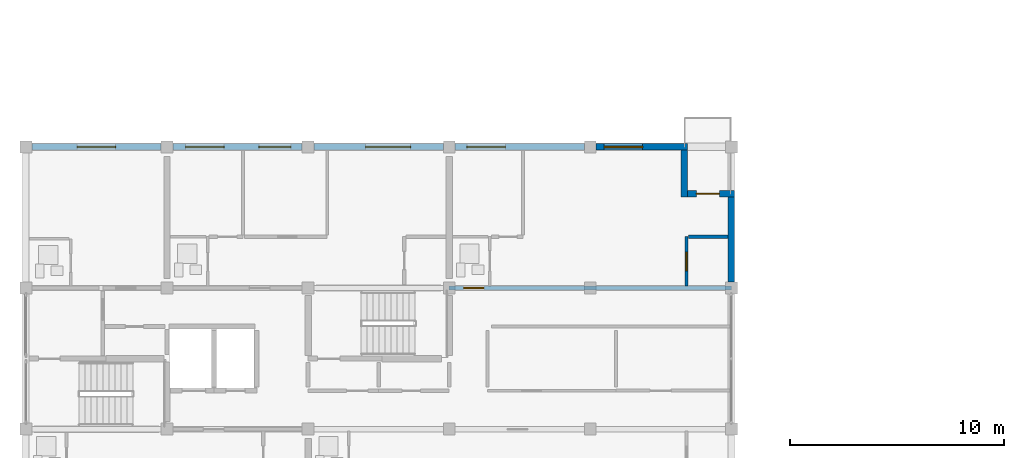
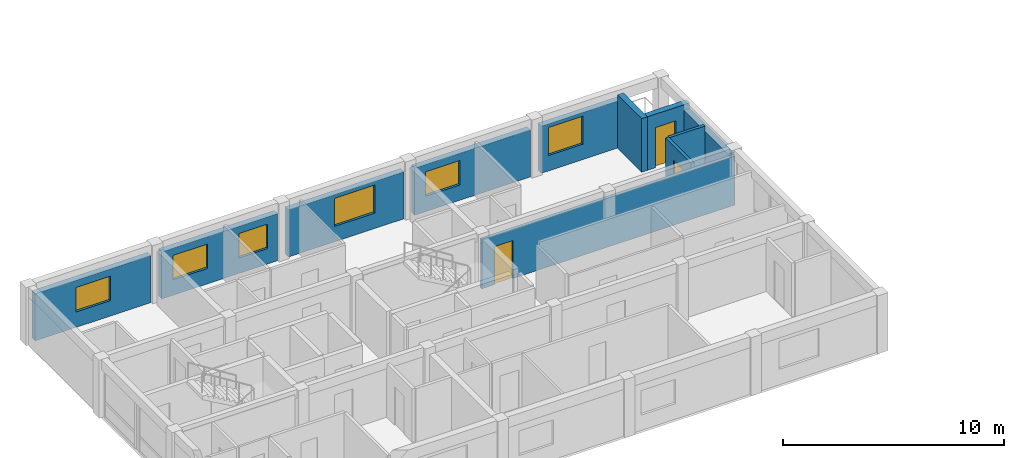
# One storey, part 33 of 45: 11 walls, 6 windows, 3 doors, 9 openings.
"""IFC4 building model written with IfcOpenShell, lengths in metres."""

from ifc_helpers import new_model, si_unit, direction, frame, frame_2d, origin, place, context, subcontext, project, spatial, rectangle, extrude, material, layer, layer_set, type_object, element, fill, save


model = new_model("IFC4")

# Units and contexts
model_context = context("Model", 3, precision=1e-05, world=origin(), true_north=direction((0.0, 1.0)))
body_context = subcontext(model_context, "Body", "Model", "MODEL_VIEW")
ifc_project = project(units=[si_unit("LENGTHUNIT", "METRE"), si_unit("AREAUNIT", "SQUARE_METRE"), si_unit("VOLUMEUNIT", "CUBIC_METRE"), si_unit("PLANEANGLEUNIT", "RADIAN"), si_unit("MASSUNIT", "GRAM", prefix="KILO")], contexts=[model_context])

# Site, building, storey
site_placement = place(None, origin())
site = spatial("IfcSite", under=ifc_project, at=site_placement, CompositionType="ELEMENT")
building_placement = place(site_placement, origin())
building = spatial("IfcBuilding", under=site, at=building_placement, Name="Kernevlak Ridge Housing Community", CompositionType="ELEMENT")
storey_placement = place(building_placement, frame((0.0, 0.0, 14.800048828125)))
storey = spatial("IfcBuildingStorey", under=building, at=storey_placement, Name="L04", CompositionType="ELEMENT", Elevation=14.800048828125)

# Wall, opening, window
ifc_material_1 = material(Name="Concrete block masonry M10", Category="masonry")
ifc_layer_1 = layer(ifc_material_1, 0.300048828125, Name="Concrete block masonry M10")
ifc_layer_set_1 = layer_set([ifc_layer_1], Name="Concrete block masonry M10")
wall_type_1 = type_object("IfcWallType", Name="EW-01", PredefinedType="STANDARD", material=ifc_layer_set_1)
wall_1_placement = place(storey_placement, frame((15.875, 95.800048828125, 0.0), z_axis=(0.0, 0.0, 1.0), x_axis=(1.0, 0.0, 0.0)))
wall_1 = element("IfcWall", 1, at=wall_1_placement, inside=storey, type_object=wall_type_1, Name="Exterior wall EW-01 L04 66", PredefinedType="STANDARD", context=body_context, shape_type="SweptSolid", body=[
    extrude(rectangle(XDim=6.050048828125, YDim=0.300048828125, at=frame_2d((3.02490234375, 0.0))), origin(), (0.0, 0.0, 1.0), 2.599853515625),
])
opening_1_placement = place(wall_1_placement, frame((2.125, 0.0, 0.85009765625)))
opening_1 = element("IfcOpeningElement", 2, at=opening_1_placement, cuts=wall_1, Name="Opening WT-03", PredefinedType="OPENING", context=body_context, shape_type="SweptSolid", body=[
    extrude(rectangle(XDim=1.800048828125, YDim=1.35009765625, at=frame_2d((0.89990234375, 0.675048828125))), frame((0.0, 0.159912109375, 0.0), z_axis=(0.0, -1.0, 0.0), x_axis=(1.0, 0.0, 0.0)), (0.0, 0.0, 1.0), 0.320068359375),
])
ifc_material_2 = material(Name="Aluminium EN AW-6060 anodised and laminated glass", Category="aluminium")
window_type_1 = type_object("IfcWindowType", Name="WT-03", PartitioningType="SINGLE_PANEL", PredefinedType="WINDOW", material=ifc_material_2)
window_1_placement = place(opening_1_placement, origin())
window_1 = element("IfcWindow", 3, at=window_1_placement, inside=storey, type_object=window_type_1, Name="Window WT-03 L04 51", OverallHeight=1.35009765625, OverallWidth=1.800048828125, PartitioningType="SINGLE_PANEL", PredefinedType="WINDOW", context=body_context, shape_type="SweptSolid", body=[
    extrude(rectangle(XDim=1.800048828125, YDim=1.35009765625, at=frame_2d((0.89990234375, 0.675048828125))), frame((0.0, 0.030029296875, 0.0), z_axis=(0.0, -1.0, 0.0), x_axis=(1.0, 0.0, 0.0)), (0.0, 0.0, 1.0), 0.06005859375),
])
fill(opening_1, window_1)

# Wall, openings, windows
wall_2_placement = place(storey_placement, frame((22.47509765625, 95.800048828125, 0.0), z_axis=(0.0, 0.0, 1.0), x_axis=(1.0, 0.0, 0.0)))
wall_2 = element("IfcWall", 4, at=wall_2_placement, inside=storey, type_object=wall_type_1, Name="Exterior wall EW-01 L04 67", PredefinedType="STANDARD", context=body_context, shape_type="SweptSolid", body=[
    extrude(rectangle(XDim=6.0498046875, YDim=0.300048828125, at=frame_2d((3.02490234375, 0.0))), origin(), (0.0, 0.0, 1.0), 2.599853515625),
])
opening_2_placement = place(wall_2_placement, frame((0.60009765625, 0.0, 0.85009765625)))
opening_2 = element("IfcOpeningElement", 5, at=opening_2_placement, cuts=wall_2, Name="Opening WT-03", PredefinedType="OPENING", context=body_context, shape_type="SweptSolid", body=[
    extrude(rectangle(XDim=1.800048828125, YDim=1.35009765625, at=frame_2d((0.89990234375, 0.675048828125))), frame((0.0, 0.159912109375, 0.0), z_axis=(0.0, -1.0, 0.0), x_axis=(1.0, 0.0, 0.0)), (0.0, 0.0, 1.0), 0.320068359375),
])
opening_3_placement = place(wall_2_placement, frame((4.02490234375, 0.0, 0.85009765625)))
opening_3 = element("IfcOpeningElement", 6, at=opening_3_placement, cuts=wall_2, Name="Opening WT-02", PredefinedType="OPENING", context=body_context, shape_type="SweptSolid", body=[
    extrude(rectangle(XDim=1.5, YDim=1.35009765625, at=frame_2d((0.75, 0.675048828125))), frame((0.0, 0.159912109375, 0.0), z_axis=(0.0, -1.0, 0.0), x_axis=(1.0, 0.0, 0.0)), (0.0, 0.0, 1.0), 0.320068359375),
])
window_type_2 = type_object("IfcWindowType", Name="WT-02", PartitioningType="SINGLE_PANEL", PredefinedType="WINDOW", material=ifc_material_2)
window_2_placement = place(opening_3_placement, origin())
window_2 = element("IfcWindow", 7, at=window_2_placement, inside=storey, type_object=window_type_2, Name="Window WT-02 L04 53", OverallHeight=1.35009765625, OverallWidth=1.5, PartitioningType="SINGLE_PANEL", PredefinedType="WINDOW", context=body_context, shape_type="SweptSolid", body=[
    extrude(rectangle(XDim=1.5, YDim=1.35009765625, at=frame_2d((0.75, 0.675048828125))), frame((0.0, 0.030029296875, 0.0), z_axis=(0.0, -1.0, 0.0), x_axis=(1.0, 0.0, 0.0)), (0.0, 0.0, 1.0), 0.06005859375),
])
fill(opening_3, window_2)
window_3_placement = place(opening_2_placement, origin())
window_3 = element("IfcWindow", 8, at=window_3_placement, inside=storey, type_object=window_type_1, Name="Window WT-03 L04 52", OverallHeight=1.35009765625, OverallWidth=1.800048828125, PartitioningType="SINGLE_PANEL", PredefinedType="WINDOW", context=body_context, shape_type="SweptSolid", body=[
    extrude(rectangle(XDim=1.800048828125, YDim=1.35009765625, at=frame_2d((0.89990234375, 0.675048828125))), frame((0.0, 0.030029296875, 0.0), z_axis=(0.0, -1.0, 0.0), x_axis=(1.0, 0.0, 0.0)), (0.0, 0.0, 1.0), 0.06005859375),
])
fill(opening_2, window_3)

# Wall, opening, window
wall_3_placement = place(storey_placement, frame((29.074951171875, 95.800048828125, 0.0), z_axis=(0.0, 0.0, 1.0), x_axis=(1.0, 0.0, 0.0)))
wall_3 = element("IfcWall", 9, at=wall_3_placement, inside=storey, type_object=wall_type_1, Name="Exterior wall EW-01 L04 68", PredefinedType="STANDARD", context=body_context, shape_type="SweptSolid", body=[
    extrude(rectangle(XDim=6.050048828125, YDim=0.300048828125, at=frame_2d((3.02490234375, 0.0))), origin(), (0.0, 0.0, 1.0), 2.599853515625),
])
opening_4_placement = place(wall_3_placement, frame((2.4208984375, 0.0, 0.85009765625)))
opening_4 = element("IfcOpeningElement", 10, at=opening_4_placement, cuts=wall_3, Name="Opening WT-05", PredefinedType="OPENING", context=body_context, shape_type="SweptSolid", body=[
    extrude(rectangle(XDim=2.10009765625, YDim=1.550048828125, at=frame_2d((1.050048828125, 0.77490234375))), frame((0.0, 0.159912109375, 0.0), z_axis=(0.0, -1.0, 0.0), x_axis=(1.0, 0.0, 0.0)), (0.0, 0.0, 1.0), 0.320068359375),
])
window_type_3 = type_object("IfcWindowType", Name="WT-05", PartitioningType="SINGLE_PANEL", PredefinedType="WINDOW", material=ifc_material_2)
window_4_placement = place(opening_4_placement, origin())
window_4 = element("IfcWindow", 11, at=window_4_placement, inside=storey, type_object=window_type_3, Name="Window WT-05 L04 54", OverallHeight=1.550048828125, OverallWidth=2.10009765625, PartitioningType="SINGLE_PANEL", PredefinedType="WINDOW", context=body_context, shape_type="SweptSolid", body=[
    extrude(rectangle(XDim=2.10009765625, YDim=1.550048828125, at=frame_2d((1.050048828125, 0.77490234375))), frame((0.0, 0.030029296875, 0.0), z_axis=(0.0, -1.0, 0.0), x_axis=(1.0, 0.0, 0.0)), (0.0, 0.0, 1.0), 0.06005859375),
])
fill(opening_4, window_4)

wall_4_placement = place(storey_placement, frame((35.675048828125, 95.800048828125, 0.0), z_axis=(0.0, 0.0, 1.0), x_axis=(1.0, 0.0, 0.0)))
wall_4 = element("IfcWall", 12, at=wall_4_placement, inside=storey, type_object=wall_type_1, Name="Exterior wall EW-01 L04 69", PredefinedType="STANDARD", context=body_context, shape_type="SweptSolid", body=[
    extrude(rectangle(XDim=6.050048828125, YDim=0.300048828125, at=frame_2d((3.02490234375, 0.0))), origin(), (0.0, 0.0, 1.0), 2.599853515625),
])
opening_5_placement = place(wall_4_placement, frame((0.550048828125, 0.0, 0.85009765625)))
opening_5 = element("IfcOpeningElement", 13, at=opening_5_placement, cuts=wall_4, Name="Opening WT-03", PredefinedType="OPENING", context=body_context, shape_type="SweptSolid", body=[
    extrude(rectangle(XDim=1.800048828125, YDim=1.35009765625, at=frame_2d((0.89990234375, 0.675048828125))), frame((0.0, 0.159912109375, 0.0), z_axis=(0.0, -1.0, 0.0), x_axis=(1.0, 0.0, 0.0)), (0.0, 0.0, 1.0), 0.320068359375),
])
window_5_placement = place(opening_5_placement, origin())
window_5 = element("IfcWindow", 14, at=window_5_placement, inside=storey, type_object=window_type_1, Name="Window WT-03 L04 55", OverallHeight=1.35009765625, OverallWidth=1.800048828125, PartitioningType="SINGLE_PANEL", PredefinedType="WINDOW", context=body_context, shape_type="SweptSolid", body=[
    extrude(rectangle(XDim=1.800048828125, YDim=1.35009765625, at=frame_2d((0.89990234375, 0.675048828125))), frame((0.0, 0.030029296875, 0.0), z_axis=(0.0, -1.0, 0.0), x_axis=(1.0, 0.0, 0.0)), (0.0, 0.0, 1.0), 0.06005859375),
])
fill(opening_5, window_5)

wall_5_placement = place(storey_placement, frame((42.27490234375, 95.800048828125, 0.0), z_axis=(0.0, 0.0, 1.0), x_axis=(1.0, 0.0, 0.0)))
wall_5 = element("IfcWall", 15, at=wall_5_placement, inside=storey, type_object=wall_type_1, Name="Exterior wall EW-01 L04 70", PredefinedType="STANDARD", context=body_context, shape_type="SweptSolid", body=[
    extrude(rectangle(XDim=4.275146484375, YDim=0.300048828125, at=frame_2d((2.1376953125, 0.0))), origin(), (0.0, 0.0, 1.0), 2.599853515625),
])
opening_6_placement = place(wall_5_placement, frame((0.375, 0.0, 0.85009765625)))
opening_6 = element("IfcOpeningElement", 16, at=opening_6_placement, cuts=wall_5, Name="Opening WT-04", PredefinedType="OPENING", context=body_context, shape_type="SweptSolid", body=[
    extrude(rectangle(XDim=1.800048828125, YDim=1.550048828125, at=frame_2d((0.89990234375, 0.77490234375))), frame((0.0, 0.159912109375, 0.0), z_axis=(0.0, -1.0, 0.0), x_axis=(1.0, 0.0, 0.0)), (0.0, 0.0, 1.0), 0.320068359375),
])
window_type_4 = type_object("IfcWindowType", Name="WT-04", PartitioningType="SINGLE_PANEL", PredefinedType="WINDOW", material=ifc_material_2)
window_6_placement = place(opening_6_placement, origin())
window_6 = element("IfcWindow", 17, at=window_6_placement, inside=storey, type_object=window_type_4, Name="Window WT-04 L04 56", OverallHeight=1.550048828125, OverallWidth=1.800048828125, PartitioningType="SINGLE_PANEL", PredefinedType="WINDOW", context=body_context, shape_type="SweptSolid", body=[
    extrude(rectangle(XDim=1.800048828125, YDim=1.550048828125, at=frame_2d((0.89990234375, 0.77490234375))), frame((0.0, 0.030029296875, 0.0), z_axis=(0.0, -1.0, 0.0), x_axis=(1.0, 0.0, 0.0)), (0.0, 0.0, 1.0), 0.06005859375),
])
fill(opening_6, window_6)

# Wall
wall_6_placement = place(storey_placement, frame((46.39990234375, 95.64990234375, 0.0), z_axis=(0.0, 0.0, 1.0), x_axis=(0.0, -1.0, 0.0)))
element("IfcWall", 18, at=wall_6_placement, inside=storey, type_object=wall_type_1, Name="Exterior wall EW-01 L04 71", PredefinedType="STANDARD", context=body_context, shape_type="SweptSolid", body=[
    extrude(rectangle(XDim=2.199951171875, YDim=0.300048828125, at=frame_2d((1.10009765625, 0.0))), origin(), (0.0, 0.0, 1.0), 2.9599609375),
])

# Wall, opening, door
wall_7_placement = place(storey_placement, frame((46.550048828125, 93.60009765625, 0.0), z_axis=(0.0, 0.0, 1.0), x_axis=(1.0, 0.0, 0.0)))
wall_7 = element("IfcWall", 19, at=wall_7_placement, inside=storey, type_object=wall_type_1, Name="Exterior wall EW-01 L04 72", PredefinedType="STANDARD", context=body_context, shape_type="SweptSolid", body=[
    extrude(rectangle(XDim=2.199951171875, YDim=0.300048828125, at=frame_2d((1.10009765625, 0.0))), origin(), (0.0, 0.0, 1.0), 2.9599609375),
])
opening_7_placement = place(wall_7_placement, frame((0.409912109375, 0.0, 0.0)))
opening_7 = element("IfcOpeningElement", 20, at=opening_7_placement, cuts=wall_7, Name="Opening D155", PredefinedType="OPENING", context=body_context, shape_type="SweptSolid", body=[
    extrude(rectangle(XDim=1.080078125, YDim=2.219970703125, at=frame_2d((0.5400390625, 1.10986328125))), frame((0.0, 0.159912109375, 0.0), z_axis=(0.0, -1.0, 0.0), x_axis=(1.0, 0.0, 0.0)), (0.0, 0.0, 1.0), 0.320068359375),
])
ifc_material_3 = material(Name="Aluminium EN AW-6060 and laminated safety glass", Category="aluminium")
door_type_1 = type_object("IfcDoorType", Name="DT-34", OperationType="NOTDEFINED", PredefinedType="DOOR", material=ifc_material_3)
door_1_placement = place(opening_7_placement, origin())
door_1 = element("IfcDoor", 21, at=door_1_placement, inside=storey, type_object=door_type_1, Name="Flat A0423 corner balcony glazed door D155", OperationType="SINGLE_SWING_LEFT", OverallHeight=2.219970703125, OverallWidth=1.080078125, PredefinedType="DOOR", context=body_context, shape_type="SweptSolid", body=[
    extrude(rectangle(XDim=1.080078125, YDim=2.219970703125, at=frame_2d((0.5400390625, 1.10986328125))), frame((0.0, 0.02490234375, 0.0), z_axis=(0.0, -1.0, 0.0), x_axis=(1.0, 0.0, 0.0)), (0.0, 0.0, 1.0), 0.050048828125),
])
fill(opening_7, door_1)

# Wall
wall_8_placement = place(storey_placement, frame((48.60009765625, 89.47509765625, 0.0), z_axis=(0.0, 0.0, 1.0), x_axis=(0.0, 1.0, 0.0)))
element("IfcWall", 22, at=wall_8_placement, inside=storey, type_object=wall_type_1, Name="Exterior wall EW-01 L04 76", PredefinedType="STANDARD", context=body_context, shape_type="SweptSolid", body=[
    extrude(rectangle(XDim=3.974853515625, YDim=0.300048828125, at=frame_2d((1.9873046875, 0.0))), origin(), (0.0, 0.0, 1.0), 2.64990234375),
])

# Wall, opening, door
ifc_layer_2 = layer(ifc_material_1, 0.175048828125, Name="Concrete block masonry M10")
ifc_layer_set_2 = layer_set([ifc_layer_2], Name="Concrete block masonry M10")
wall_type_2 = type_object("IfcWallType", Name="PW-02", PredefinedType="PARTITIONING", material=ifc_layer_set_2)
wall_9_placement = place(storey_placement, frame((35.39990234375, 89.199951171875, 0.0), z_axis=(0.0, 0.0, 1.0), x_axis=(1.0, 0.0, 0.0)))
wall_9 = element("IfcWall", 23, at=wall_9_placement, inside=storey, type_object=wall_type_2, Name="Interior wall PW-02 WAL-INT-L04-0302", PredefinedType="PARTITIONING", context=body_context, shape_type="SweptSolid", body=[
    extrude(rectangle(XDim=13.2001953125, YDim=0.175048828125, at=frame_2d((6.60009765625, 0.0))), origin(), (0.0, 0.0, 1.0), 2.699951171875),
])
opening_8_placement = place(wall_9_placement, frame((0.669921875, 0.0, 0.0)))
opening_8 = element("IfcOpeningElement", 24, at=opening_8_placement, cuts=wall_9, Name="Opening D151", PredefinedType="OPENING", context=body_context, shape_type="SweptSolid", body=[
    extrude(rectangle(XDim=0.949951171875, YDim=2.10009765625, at=frame_2d((0.47509765625, 1.050048828125))), frame((0.0, 0.097412109375, 0.0), z_axis=(0.0, -1.0, 0.0), x_axis=(1.0, 0.0, 0.0)), (0.0, 0.0, 1.0), 0.195068359375),
])
ifc_material_4 = material(Name="Hardwood timber solid-core fire leaf", Category="wood")
door_type_2 = type_object("IfcDoorType", Name="DT-01", OperationType="NOTDEFINED", PredefinedType="DOOR", material=ifc_material_4)
door_2_placement = place(opening_8_placement, origin())
door_2 = element("IfcDoor", 25, at=door_2_placement, inside=storey, type_object=door_type_2, Name="Flat A0423 entrance fire door D151", OperationType="SINGLE_SWING_LEFT", OverallHeight=2.10009765625, OverallWidth=0.949951171875, PredefinedType="DOOR", context=body_context, shape_type="SweptSolid", body=[
    extrude(rectangle(XDim=0.949951171875, YDim=2.10009765625, at=frame_2d((0.47509765625, 1.050048828125))), frame((0.0, 0.02490234375, 0.0), z_axis=(0.0, -1.0, 0.0), x_axis=(1.0, 0.0, 0.0)), (0.0, 0.0, 1.0), 0.050048828125),
])
fill(opening_8, door_2)

ifc_material_5 = material(Name="Gypsum plasterboard EN 520", Category="gypsum")
ifc_layer_3 = layer(ifc_material_5, 0.155029296875, Name="Gypsum plasterboard EN 520")
ifc_layer_set_3 = layer_set([ifc_layer_3], Name="Gypsum plasterboard EN 520")
wall_type_3 = type_object("IfcWallType", Name="PW-05", PredefinedType="PARTITIONING", material=ifc_layer_set_3)
wall_10_placement = place(storey_placement, frame((46.5, 89.297607421875, 0.0), z_axis=(0.0, 0.0, 1.0), x_axis=(0.0, 1.0, 0.0)))
wall_10 = element("IfcWall", 26, at=wall_10_placement, inside=storey, type_object=wall_type_3, Name="Interior wall PW-05 WAL-INT-L04-0305", PredefinedType="PARTITIONING", context=body_context, shape_type="SweptSolid", body=[
    extrude(rectangle(XDim=2.302490234375, YDim=0.155029296875, at=frame_2d((1.1513671875, 0.0))), origin(), (0.0, 0.0, 1.0), 2.9599609375),
])
opening_9_placement = place(wall_10_placement, frame((0.699951171875, 0.0, 0.0)))
opening_9 = element("IfcOpeningElement", 27, at=opening_9_placement, cuts=wall_10, Name="Opening D153", PredefinedType="OPENING", context=body_context, shape_type="SweptSolid", body=[
    extrude(rectangle(XDim=0.8798828125, YDim=2.159912109375, at=frame_2d((0.43994140625, 1.080078125))), frame((0.0, 0.08740234375, 0.0), z_axis=(0.0, -1.0, 0.0), x_axis=(1.0, 0.0, 0.0)), (0.0, 0.0, 1.0), 0.175048828125),
])
ifc_material_6 = material(Name="Hardwood timber leaf", Category="wood")
door_type_3 = type_object("IfcDoorType", Name="DT-26", OperationType="NOTDEFINED", PredefinedType="DOOR", material=ifc_material_6)
door_3_placement = place(opening_9_placement, origin())
door_3 = element("IfcDoor", 28, at=door_3_placement, inside=storey, type_object=door_type_3, Name="Flat A0423 kitchen door D153", OperationType="SINGLE_SWING_LEFT", OverallHeight=2.159912109375, OverallWidth=0.8798828125, PredefinedType="DOOR", context=body_context, shape_type="SweptSolid", body=[
    extrude(rectangle(XDim=0.8798828125, YDim=2.159912109375, at=frame_2d((0.43994140625, 1.080078125))), frame((0.0, 0.02490234375, 0.0), z_axis=(0.0, -1.0, 0.0), x_axis=(1.0, 0.0, 0.0)), (0.0, 0.0, 1.0), 0.050048828125),
])
fill(opening_9, door_3)

# Wall
wall_11_placement = place(storey_placement, frame((46.58740234375, 91.60009765625, 0.0), z_axis=(0.0, 0.0, 1.0), x_axis=(1.0, 0.0, 0.0)))
element("IfcWall", 29, at=wall_11_placement, inside=storey, type_object=wall_type_3, Name="Interior wall PW-05 WAL-INT-L04-0306", PredefinedType="PARTITIONING", context=body_context, shape_type="SweptSolid", body=[
    extrude(rectangle(XDim=1.8525390625, YDim=0.155029296875, at=frame_2d((0.92626953125, 0.0))), origin(), (0.0, 0.0, 1.0), 2.9599609375),
])

save(model, "model.ifc")
